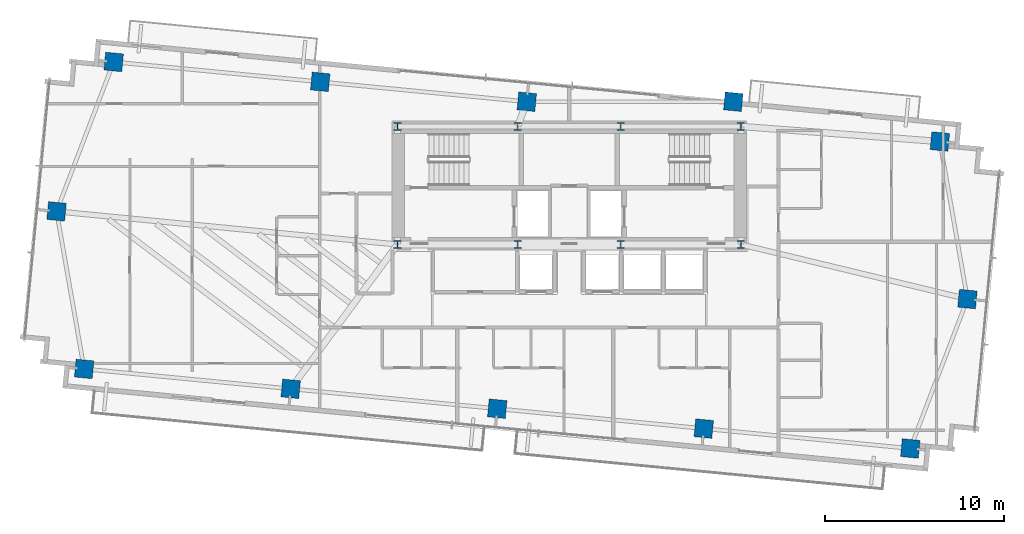
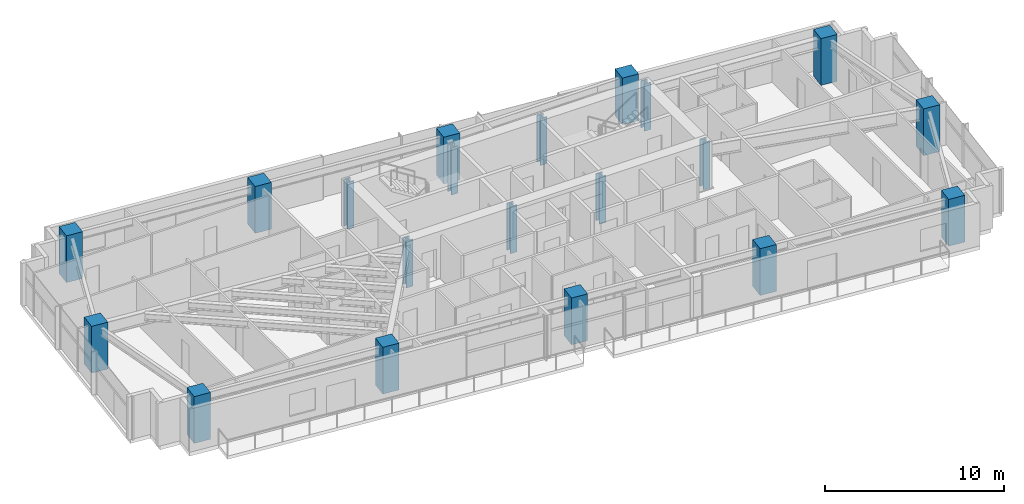
# One storey, part 1 of 19: 20 columns.
"""IFC4 building model written with IfcOpenShell, lengths in metres."""

from ifc_helpers import new_model, si_unit, direction, frame, origin, origin_2d, place, context, subcontext, project, spatial, rectangle, i_section, extrude, source, transform, mapped, material, material_profile, profile_set, type_object, type_shapes, element, save


model = new_model("IFC4")

# Units and contexts
model_context = context("Model", 3, precision=1e-05, world=origin(), true_north=direction((0.0, 1.0)))
body_context = subcontext(model_context, "Body", "Model", "MODEL_VIEW")
ifc_project = project(units=[si_unit("LENGTHUNIT", "METRE"), si_unit("AREAUNIT", "SQUARE_METRE"), si_unit("VOLUMEUNIT", "CUBIC_METRE"), si_unit("PLANEANGLEUNIT", "RADIAN"), si_unit("MASSUNIT", "GRAM", prefix="KILO")], contexts=[model_context])

# Site, building, storey
site_placement = place(None, origin())
site = spatial("IfcSite", under=ifc_project, at=site_placement, CompositionType="ELEMENT")
building_placement = place(site_placement, origin())
building = spatial("IfcBuilding", under=site, at=building_placement, Name="Astriad Promenade Condominiums", CompositionType="ELEMENT")
storey_placement = place(building_placement, frame((0.0, 0.0, 147.0)))
storey = spatial("IfcBuildingStorey", under=building, at=storey_placement, Name="L42", CompositionType="ELEMENT", Elevation=147.0)

# Columns
ifc_material_1 = material(Name="Steel ASTM A992 Grade 50", Category="steel")
ifc_material_profile_1 = material_profile(ifc_material_1, i_section(OverallWidth=0.42138671875, OverallDepth=0.464599609375, WebThickness=0.044921875, FlangeThickness=0.072509765625, FilletRadius=0.017822265625, at=origin_2d()), Name="W14X398")
ifc_profile_set_1 = profile_set([ifc_material_profile_1], Name="Steel ASTM A992 Grade 50")
column_type_1 = type_object("IfcColumnType", Name="STEEL CORE PILASTER W14X398", PredefinedType="PILASTER", material=ifc_profile_set_1)
shared_shape_1 = source(origin(), body_context, "Body", "SweptSolid", [
    extrude(i_section(OverallWidth=0.42138671875, OverallDepth=0.464599609375, WebThickness=0.044921875, FlangeThickness=0.072509765625, FilletRadius=0.017822265625, at=origin_2d()), origin(), (0.0, 0.0, 1.0), 3.196044921875),
])
type_shapes(column_type_1, [shared_shape_1])
for number, where, z_axis, x_axis, name in (
    (1, (26.39990234375, 17.39990234375, 0.001953125), (0.0, 0.0, 1.0), (1.0, 0.0, 0.0), "Core Pilaster Column CP1 (L42)"),
    (2, (33.1201171875, 17.39990234375, 0.001953125), (0.0, 0.0, 1.0), (1.0, 0.0, 0.0), "Core Pilaster Column CP2 (L42)"),
    (3, (38.8798828125, 17.39990234375, 0.001953125), (0.0, 0.0, 1.0), (1.0, 0.0, 0.0), "Core Pilaster Column CP3 (L42)"),
    (4, (45.60009765625, 17.39990234375, 0.001953125), (0.0, 0.0, 1.0), (1.0, 0.0, 0.0), "Core Pilaster Column CP4 (L42)"),
    (5, (26.39990234375, 24.0, 0.001953125), (0.0, 0.0, 1.0), (1.0, 0.0, 0.0), "Core Pilaster Column CP5 (L42)"),
    (6, (33.1201171875, 24.0, 0.001953125), (0.0, 0.0, 1.0), (1.0, 0.0, 0.0), "Core Pilaster Column CP6 (L42)"),
    (7, (38.8798828125, 24.0, 0.001953125), (0.0, 0.0, 1.0), (1.0, 0.0, 0.0), "Core Pilaster Column CP7 (L42)"),
    (8, (45.60009765625, 24.0, 0.001953125), (0.0, 0.0, 1.0), (1.0, 0.0, 0.0), "Core Pilaster Column CP8 (L42)"),
):
    element("IfcColumn", number, at=place(storey_placement, frame(where, z_axis=z_axis, x_axis=x_axis)), inside=storey, type_object=column_type_1, Name=name, PredefinedType="PILASTER", context=body_context, shape_type="MappedRepresentation", body=[
        mapped(shared_shape_1, transform((0.0, 0.0, 0.0), scale=1.0)),
    ])
ifc_material_2 = material(Name="Concrete C60/75", Category="concrete")
ifc_material_profile_2 = material_profile(ifc_material_2, rectangle(XDim=1.0, YDim=1.0, at=origin_2d()), Name="RC-COL-1000X1000")
ifc_profile_set_2 = profile_set([ifc_material_profile_2], Name="Concrete C60/75")
column_type_2 = type_object("IfcColumnType", Name="CONCRETE TOWER COLUMN 1000X1000", PredefinedType="COLUMN", material=ifc_profile_set_2)
shared_shape_2 = source(origin(), body_context, "Body", "SweptSolid", [
    extrude(rectangle(XDim=1.0, YDim=1.0, at=origin_2d()), origin(), (0.0, 0.0, 1.0), 3.196044921875),
])
type_shapes(column_type_2, [shared_shape_2])
for number, where, z_axis, x_axis, name in (
    (9, (8.880615234375, 10.443359375, 0.001953125), (0.0, 0.0, 1.0), (0.995396198367, -0.09584575252, 0.0), "Perimeter Column PC01 (L42)"),
    (10, (20.42724609375, 9.33154296875, 0.001953125), (0.0, 0.0, 1.0), (0.995396198367, -0.09584575252, 0.0), "Perimeter Column PC02 (L42)"),
    (11, (31.973876953125, 8.2197265625, 0.001953125), (0.0, 0.0, 1.0), (0.995396198367, -0.09584575252, 0.0), "Perimeter Column PC03 (L42)"),
    (12, (43.5205078125, 7.10791015625, 0.001953125), (0.0, 0.0, 1.0), (0.995396198367, -0.09584575252, 0.0), "Perimeter Column PC04 (L42)"),
    (13, (55.06689453125, 5.99609375, 0.001953125), (0.0, 0.0, 1.0), (0.995396198367, -0.09584575252, 0.0), "Perimeter Column PC05 (L42)"),
    (14, (10.532958984375, 27.60400390625, 0.001953125), (0.0, 0.0, 1.0), (0.995396198367, -0.09584575252, 0.0), "Perimeter Column PC06 (L42)"),
    (15, (22.07958984375, 26.4921875, 0.001953125), (0.0, 0.0, 1.0), (0.995396198367, -0.09584575252, 0.0), "Perimeter Column PC07 (L42)"),
    (16, (33.626220703125, 25.38037109375, 0.001953125), (0.0, 0.0, 1.0), (0.995396198367, -0.09584575252, 0.0), "Perimeter Column PC08 (L42)"),
    (17, (45.1728515625, 25.3798828125, 0.001953125), (0.0, 0.0, 1.0), (0.995396198367, -0.09584575252, 0.0), "Perimeter Column PC09 (L42)"),
    (18, (56.719482421875, 23.15673828125, 0.001953125), (0.0, 0.0, 1.0), (0.995396198367, -0.09584575252, 0.0), "Perimeter Column PC10 (L42)"),
    (19, (7.337890625, 19.251708984375, 0.001953125), (0.0, 0.0, 1.0), (0.995396198367, -0.09584575252, 0.0), "Perimeter Column PC11 (L42)"),
    (20, (58.26220703125, 14.348388671875, 0.001953125), (0.0, 0.0, 1.0), (0.995396198367, -0.09584575252, 0.0), "Perimeter Column PC12 (L42)"),
):
    element("IfcColumn", number, at=place(storey_placement, frame(where, z_axis=z_axis, x_axis=x_axis)), inside=storey, type_object=column_type_2, Name=name, PredefinedType="COLUMN", context=body_context, shape_type="MappedRepresentation", body=[
        mapped(shared_shape_2, transform((0.0, 0.0, 0.0), scale=1.0)),
    ])

save(model, "model.ifc")
